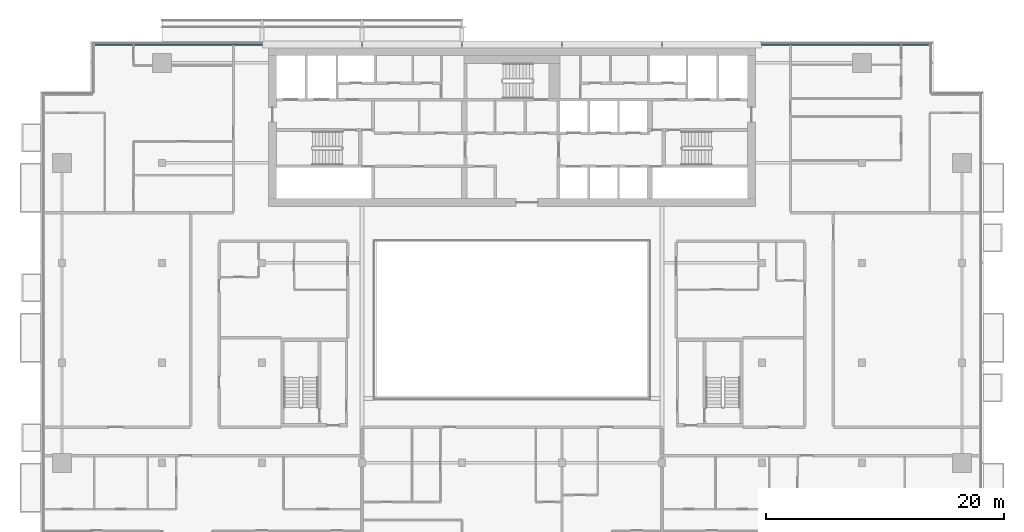
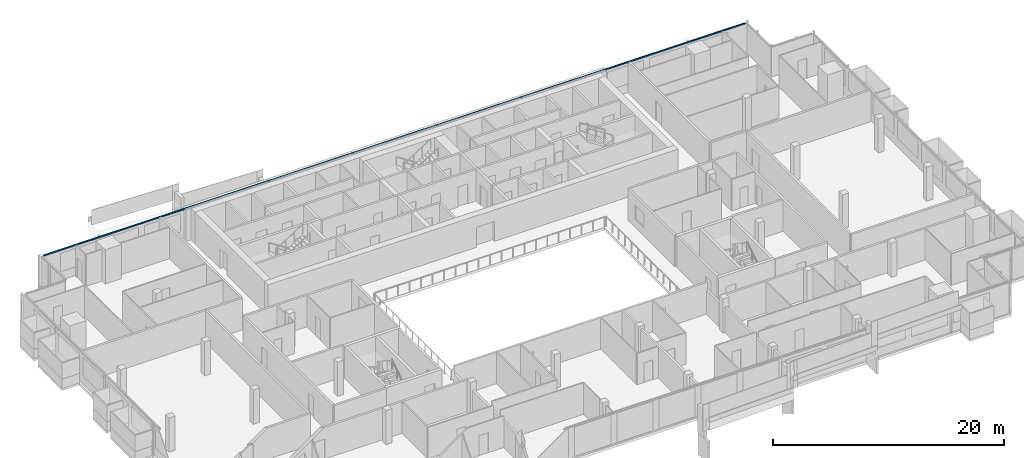
# One storey, part 9 of 27: 1 member, 1 element without a shape of its own.
"""IFC4 building model written with IfcOpenShell, lengths in metres."""

from ifc_helpers import new_model, si_unit, direction, frame, origin, origin_2d, place, context, subcontext, project, spatial, rectangle, extrude, material, material_profile, profile_set, type_object, element, aggregate, save


model = new_model("IFC4")

# Units and contexts
model_context = context("Model", 3, precision=1e-05, world=origin(), true_north=direction((0.0, 1.0)))
body_context = subcontext(model_context, "Body", "Model", "MODEL_VIEW")
ifc_project = project(units=[si_unit("LENGTHUNIT", "METRE"), si_unit("AREAUNIT", "SQUARE_METRE"), si_unit("VOLUMEUNIT", "CUBIC_METRE"), si_unit("PLANEANGLEUNIT", "RADIAN"), si_unit("MASSUNIT", "GRAM", prefix="KILO")], contexts=[model_context])

# Site, building, storey
site_placement = place(None, origin())
site = spatial("IfcSite", under=ifc_project, at=site_placement, CompositionType="ELEMENT")
building_placement = place(site_placement, origin())
building = spatial("IfcBuilding", under=site, at=building_placement, Name="Saffron Gate Tower", CompositionType="ELEMENT")
storey_placement = place(building_placement, frame((0.0, 0.0, 212.699951171875)))
storey = spatial("IfcBuildingStorey", under=building, at=storey_placement, Name="L51", CompositionType="ELEMENT", Elevation=212.699951171875)

# Curtain wall, member
ifc_material = material(Name="Aluminium, bronze anodised", Category="aluminium")
curtain_wall_type = type_object("IfcCurtainWallType", Name="CWS3 curtain wall rear facade", PredefinedType="NOTDEFINED", material=ifc_material)
curtain_wall_placement = place(storey_placement, origin())
curtain_wall = element("IfcCurtainWall", 1, at=curtain_wall_placement, inside=storey, type_object=curtain_wall_type, Name="CWS3 run 7", PredefinedType="NOTDEFINED")
ifc_material_profile = material_profile(ifc_material, rectangle(XDim=0.1201171875, YDim=0.1201171875, at=origin_2d()))
ifc_profile_set = profile_set([ifc_material_profile], Name="Aluminium, bronze anodised")
member_type = type_object("IfcMemberType", Name="CWS3 head transom", PredefinedType="USERDEFINED", material=ifc_profile_set)
member_placement = place(storey_placement, frame((122.632080078125, 75.35205078125, 3.260009765625), z_axis=(-1.0, 0.0, 0.0), x_axis=(0.0, -1.0, 0.0)))
member = element("IfcMember", 2, at=member_placement, type_object=member_type, Name="CWS3 head transom", ObjectType="TRANSOM", PredefinedType="USERDEFINED", context=body_context, shape_type="SweptSolid", body=[
    extrude(rectangle(XDim=0.1201171875, YDim=0.1201171875, at=origin_2d()), origin(), (0.0, 0.0, 1.0), 70.06396484375),
])
aggregate(curtain_wall, [member])

save(model, "model.ifc")
